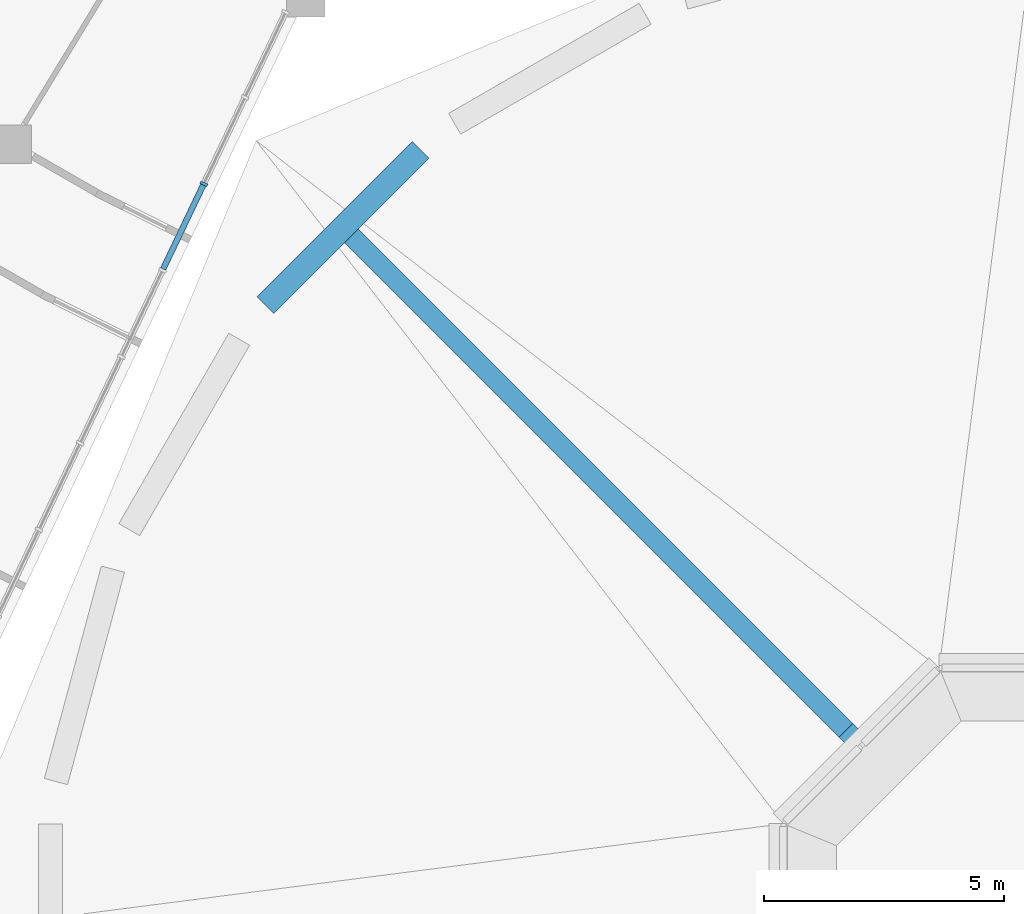
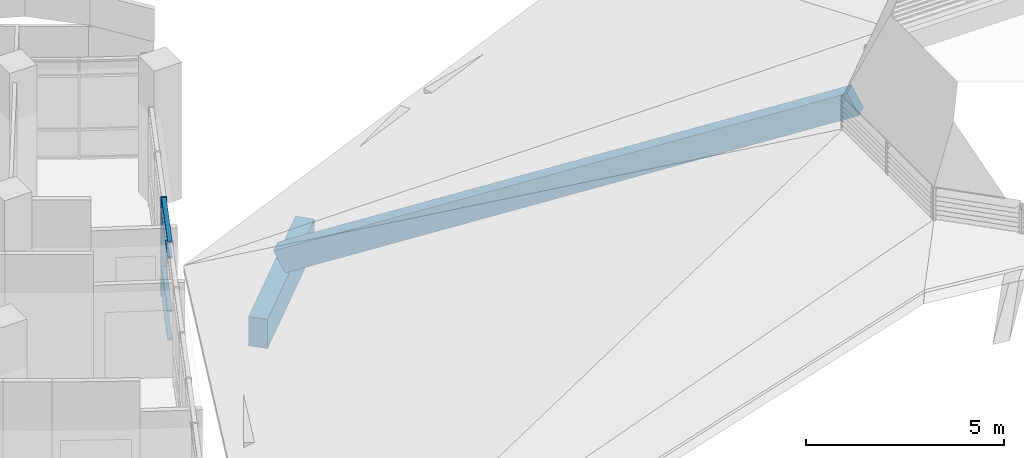
# One storey, part 6 of 137: 6 members, 1 beam, 1 element without a shape of its own.
"""IFC4 building model written with IfcOpenShell, lengths in metres."""

from ifc_helpers import new_model, si_unit, direction, frame, origin, origin_2d, place, context, subcontext, project, spatial, rectangle, extrude, material, material_profile, profile_set, type_object, element, aggregate, save


model = new_model("IFC4")

# Units and contexts
model_context = context("Model", 3, precision=1e-05, world=origin(), true_north=direction((0.0, 1.0)))
body_context = subcontext(model_context, "Body", "Model", "MODEL_VIEW")
ifc_project = project(units=[si_unit("LENGTHUNIT", "METRE"), si_unit("AREAUNIT", "SQUARE_METRE"), si_unit("VOLUMEUNIT", "CUBIC_METRE"), si_unit("PLANEANGLEUNIT", "RADIAN"), si_unit("MASSUNIT", "GRAM", prefix="KILO")], contexts=[model_context])

# Site, building, storey
site_placement = place(None, origin())
site = spatial("IfcSite", under=ifc_project, at=site_placement, CompositionType="ELEMENT")
building_placement = place(site_placement, origin())
building = spatial("IfcBuilding", under=site, at=building_placement, Name="Bougainvillea Quay General Hospital", CompositionType="ELEMENT")
storey_placement = place(building_placement, frame((0.0, 0.0, 16.800048828125)))
storey = spatial("IfcBuildingStorey", under=building, at=storey_placement, Name="L03", CompositionType="ELEMENT", Elevation=16.800048828125)

# Curtain wall, members
ifc_material_1 = material(Name="Aluminium curtain wall system, powder-coated glazed", Category="aluminium")
curtain_wall_type = type_object("IfcCurtainWallType", Name="Unitised curtain wall CW-1997", PredefinedType="NOTDEFINED", material=ifc_material_1)
curtain_wall_placement = place(storey_placement, origin())
curtain_wall = element("IfcCurtainWall", 1, at=curtain_wall_placement, inside=storey, type_object=curtain_wall_type, Name="CW-AE 02", PredefinedType="NOTDEFINED")
ifc_material_2 = material(Name="Aluminium mullion, powder-coated charcoal", Category="aluminium")
ifc_material_profile_1 = material_profile(ifc_material_2, rectangle(XDim=0.159912109375, YDim=0.06005859375, at=origin_2d()))
ifc_profile_set_1 = profile_set([ifc_material_profile_1], Name="Aluminium mullion, powder-coated charcoal")
member_type_1 = type_object("IfcMemberType", Name="Curtain wall mullion 160x60", PredefinedType="MULLION", material=ifc_profile_set_1)
member_1_placement = place(storey_placement, frame((91.576904296875, 89.63232421875, 0.0), z_axis=(0.0, 0.0, 1.0), x_axis=(-0.902578440897, 0.430525444112, 0.0)))
member_1 = element("IfcMember", 2, at=member_1_placement, type_object=member_type_1, Name="CW-AE mullion 9", PredefinedType="MULLION", context=body_context, shape_type="SweptSolid", body=[
    extrude(rectangle(XDim=0.159912109375, YDim=0.06005859375, at=origin_2d()), origin(), (0.0, 0.0, 1.0), 3.050048828125),
])
ifc_material_3 = material(Name="Aluminium transom, powder-coated charcoal", Category="aluminium")
ifc_material_profile_2 = material_profile(ifc_material_3, rectangle(XDim=0.1201171875, YDim=0.06005859375, at=origin_2d()))
ifc_profile_set_2 = profile_set([ifc_material_profile_2], Name="Aluminium transom, powder-coated charcoal")
member_type_2 = type_object("IfcMemberType", Name="Curtain wall transom 120x60", PredefinedType="USERDEFINED", material=ifc_profile_set_2)
member_2_placement = place(storey_placement, frame((90.73046875, 87.85791015625, 0.030029296875), z_axis=(0.430540490925, 0.902571263488, 0.0), x_axis=(-0.902571263488, 0.430540490925, 0.0)))
member_2 = element("IfcMember", 3, at=member_2_placement, type_object=member_type_2, Name="CW-AE transom 8.1", ObjectType="TRANSOM", PredefinedType="USERDEFINED", context=body_context, shape_type="SweptSolid", body=[
    extrude(rectangle(XDim=0.1201171875, YDim=0.06005859375, at=origin_2d()), origin(), (0.0, 0.0, 1.0), 1.93603515625),
])
member_3_placement = place(storey_placement, frame((90.73046875, 87.85791015625, 0.89990234375), z_axis=(0.430540490925, 0.902571263488, 0.0), x_axis=(-0.902571263488, 0.430540490925, 0.0)))
member_3 = element("IfcMember", 4, at=member_3_placement, type_object=member_type_2, Name="CW-AE transom 8.2", ObjectType="TRANSOM", PredefinedType="USERDEFINED", context=body_context, shape_type="SweptSolid", body=[
    extrude(rectangle(XDim=0.1201171875, YDim=0.06005859375, at=origin_2d()), origin(), (0.0, 0.0, 1.0), 1.93603515625),
])
member_4_placement = place(storey_placement, frame((90.73046875, 87.85791015625, 2.550048828125), z_axis=(0.430540490925, 0.902571263488, 0.0), x_axis=(-0.902571263488, 0.430540490925, 0.0)))
member_4 = element("IfcMember", 5, at=member_4_placement, type_object=member_type_2, Name="CW-AE transom 8.3", ObjectType="TRANSOM", PredefinedType="USERDEFINED", context=body_context, shape_type="SweptSolid", body=[
    extrude(rectangle(XDim=0.1201171875, YDim=0.06005859375, at=origin_2d()), origin(), (0.0, 0.0, 1.0), 1.93603515625),
])
member_5_placement = place(storey_placement, frame((90.73046875, 87.85791015625, 3.02001953125), z_axis=(0.430540490925, 0.902571263488, 0.0), x_axis=(-0.902571263488, 0.430540490925, 0.0)))
member_5 = element("IfcMember", 6, at=member_5_placement, type_object=member_type_2, Name="CW-AE transom 8.4", ObjectType="TRANSOM", PredefinedType="USERDEFINED", context=body_context, shape_type="SweptSolid", body=[
    extrude(rectangle(XDim=0.1201171875, YDim=0.06005859375, at=origin_2d()), origin(), (0.0, 0.0, 1.0), 1.93603515625),
])
aggregate(curtain_wall, [member_1, member_2, member_3, member_4, member_5])

# Member
ifc_material_4 = material(Name="Concrete C40", Category="concrete")
ifc_material_profile_3 = material_profile(ifc_material_4, rectangle(XDim=0.39990234375, YDim=0.699951171875, at=origin_2d()))
ifc_profile_set_3 = profile_set([ifc_material_profile_3], Name="Concrete C40")
member_type_3 = type_object("IfcMemberType", Name="RC BEAM 400x700 C40 RAFTER", PredefinedType="RAFTER", material=ifc_profile_set_3)
member_6_placement = place(storey_placement, frame((94.47802734375, 88.721923828125, 0.71240234375), z_axis=(0.631302824284, -0.63128827579, 0.450479585443), x_axis=(0.70709863334, 0.707114928939, 0.0)))
element("IfcMember", 7, at=member_6_placement, inside=storey, type_object=member_type_3, Name="Roof rib", PredefinedType="RAFTER", context=body_context, shape_type="SweptSolid", body=[
    extrude(rectangle(XDim=0.39990234375, YDim=0.699951171875, at=origin_2d()), origin(), (0.0, 0.0, 1.0), 16.78125),
])

# Beam
ifc_material_profile_4 = material_profile(ifc_material_4, rectangle(XDim=0.5, YDim=0.89990234375, at=origin_2d()))
ifc_profile_set_4 = profile_set([ifc_material_profile_4], Name="Concrete C40")
beam_type = type_object("IfcBeamType", Name="RC BEAM 500x900 C40", PredefinedType="BEAM", material=ifc_profile_set_4)
beam_placement = place(storey_placement, frame((96.097900390625, 90.341796875, -0.0517578125), z_axis=(-0.707133424747, -0.707080136622, 0.0), x_axis=(0.707080136622, -0.707133424747, 0.0)))
element("IfcBeam", 8, at=beam_placement, inside=storey, type_object=beam_type, Name="Beam ROOF-V1-ER-09", PredefinedType="BEAM", context=body_context, shape_type="SweptSolid", body=[
    extrude(rectangle(XDim=0.5, YDim=0.89990234375, at=origin_2d()), origin(), (0.0, 0.0, 1.0), 4.58154296875),
])

save(model, "model.ifc")
